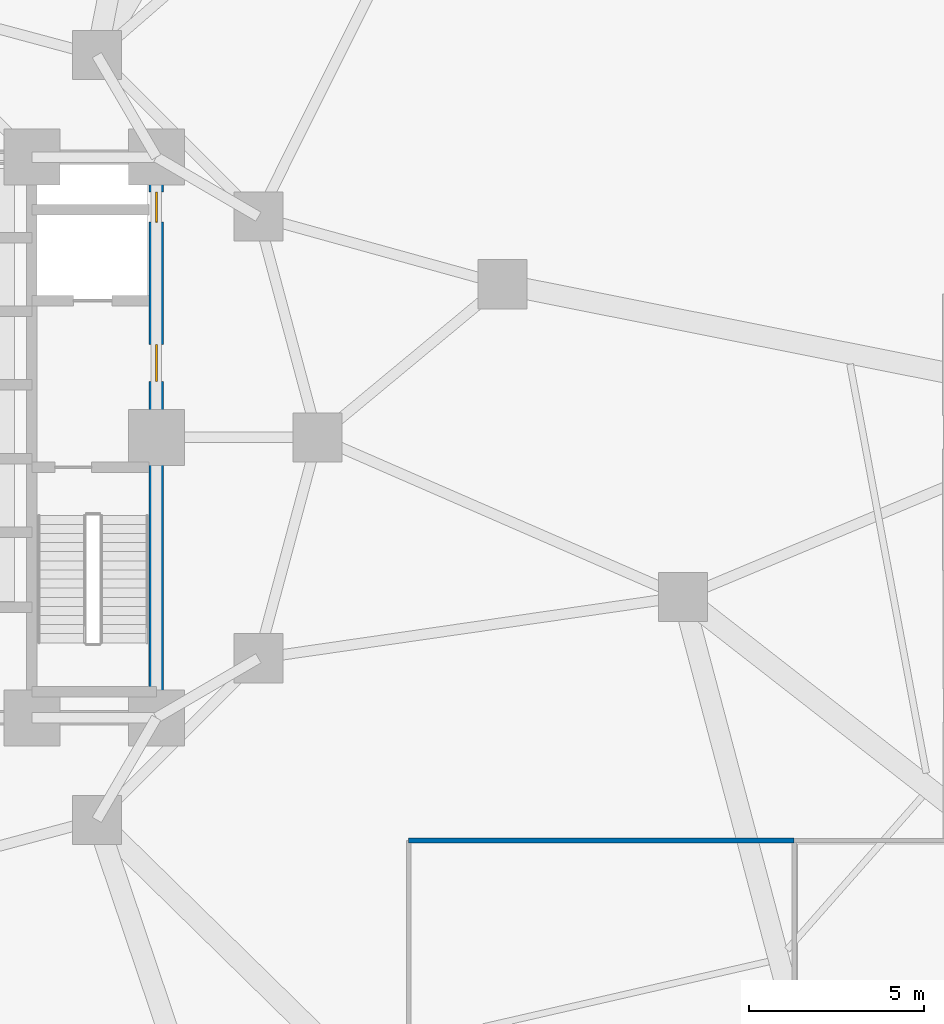
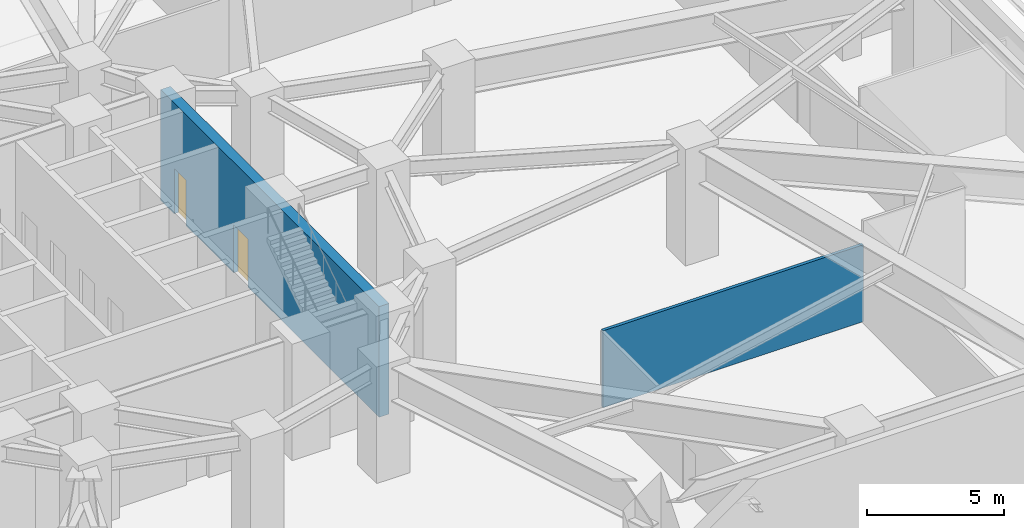
# One storey, part 18 of 30: 2 doors, 2 walls, 2 openings.
"""IFC4 building model written with IfcOpenShell, lengths in metres."""

from ifc_helpers import new_model, si_unit, direction, frame, frame_2d, origin, place, context, subcontext, project, spatial, rectangle, extrude, material, layer, layer_set, type_object, element, fill, save


model = new_model("IFC4")

# Units and contexts
model_context = context("Model", 3, precision=1e-05, world=origin(), true_north=direction((0.0, 1.0)))
body_context = subcontext(model_context, "Body", "Model", "MODEL_VIEW")
ifc_project = project(units=[si_unit("LENGTHUNIT", "METRE"), si_unit("AREAUNIT", "SQUARE_METRE"), si_unit("VOLUMEUNIT", "CUBIC_METRE"), si_unit("PLANEANGLEUNIT", "RADIAN"), si_unit("MASSUNIT", "GRAM", prefix="KILO")], contexts=[model_context])

# Site, building, storey
site_placement = place(None, origin())
site = spatial("IfcSite", under=ifc_project, at=site_placement, CompositionType="ELEMENT")
building_placement = place(site_placement, origin())
building = spatial("IfcBuilding", under=site, at=building_placement, Name="Terralouvre Media Tower", CompositionType="ELEMENT")
storey_placement = place(building_placement, origin())
storey = spatial("IfcBuildingStorey", under=building, at=storey_placement, Name="L00", CompositionType="ELEMENT", Elevation=0.0)

# Wall, openings, doors
ifc_material_1 = material(Name="Concrete C60/75", Category="concrete")
ifc_layer_1 = layer(ifc_material_1, 0.419921875, Name="Core Reinforced Concrete Shear Wall CW-420")
ifc_layer_set_1 = layer_set([ifc_layer_1], Name="Concrete C60/75")
wall_type_1 = type_object("IfcWallType", Name="Core Reinforced Concrete Shear Wall CW-420", PredefinedType="SHEAR", material=ifc_layer_set_1)
wall_1_placement = place(storey_placement, frame((8.0, -8.0, 0.0), z_axis=(0.0, 0.0, 1.0), x_axis=(0.0, 1.0, 0.0)))
wall_1 = element("IfcWall", 1, at=wall_1_placement, inside=storey, type_object=wall_type_1, Name="L00 E Core Shear Wall", PredefinedType="SHEAR", context=body_context, shape_type="SweptSolid", body=[
    extrude(rectangle(XDim=16.0, YDim=0.419921875, at=frame_2d((8.0, 0.0))), origin(), (0.0, 0.0, 1.0), 4.949951171875),
])
opening_1_placement = place(wall_1_placement, frame((9.60009765625, 0.0, 0.0)))
opening_1 = element("IfcOpeningElement", 2, at=opening_1_placement, cuts=wall_1, Name="Opening FD-01-105X215", PredefinedType="OPENING", context=body_context, shape_type="SweptSolid", body=[
    extrude(rectangle(XDim=1.050048828125, YDim=2.14990234375, at=frame_2d((0.52490234375, 1.074951171875))), frame((0.0, 0.219970703125, 0.0), z_axis=(0.0, -1.0, 0.0), x_axis=(1.0, 0.0, 0.0)), (0.0, 0.0, 1.0), 0.43994140625),
])
opening_2_placement = place(wall_1_placement, frame((14.148193359375, 0.0, 0.0)))
opening_2 = element("IfcOpeningElement", 3, at=opening_2_placement, cuts=wall_1, Name="Opening TD-R1", PredefinedType="OPENING", context=body_context, shape_type="SweptSolid", body=[
    extrude(rectangle(XDim=0.85009765625, YDim=2.02001953125, at=frame_2d((0.425048828125, 1.010009765625))), frame((0.0, 0.219970703125, 0.0), z_axis=(0.0, -1.0, 0.0), x_axis=(1.0, 0.0, 0.0)), (0.0, 0.0, 1.0), 0.43994140625),
])
ifc_material_2 = material(Name="Galvanised steel fire-resisting leaf", Category="steel")
door_type_1 = type_object("IfcDoorType", Name="Riser Inspection Access Trapdoor TD-R1", OperationType="NOTDEFINED", PredefinedType="TRAPDOOR", material=ifc_material_2)
door_1_placement = place(opening_2_placement, origin())
door_1 = element("IfcDoor", 4, at=door_1_placement, inside=storey, type_object=door_type_1, Name="L00 East Comms Riser Access Trapdoor", OperationType="SINGLE_SWING_RIGHT", OverallHeight=2.02001953125, OverallWidth=0.85009765625, PredefinedType="TRAPDOOR", context=body_context, shape_type="SweptSolid", body=[
    extrude(rectangle(XDim=0.85009765625, YDim=2.02001953125, at=frame_2d((0.425048828125, 1.010009765625))), frame((0.0, 0.02490234375, 0.0), z_axis=(0.0, -1.0, 0.0), x_axis=(1.0, 0.0, 0.0)), (0.0, 0.0, 1.0), 0.050048828125),
])
fill(opening_2, door_1)
ifc_material_3 = material(Name="Galvanised steel fire-resisting leaf", Category="steel")
door_type_2 = type_object("IfcDoorType", Name="Stair and Firefighting Lobby Fire Door FD-01 (1050x2150)", OperationType="NOTDEFINED", PredefinedType="DOOR", material=ifc_material_3)
door_2_placement = place(opening_1_placement, origin())
door_2 = element("IfcDoor", 5, at=door_2_placement, inside=storey, type_object=door_type_2, Name="L00 East Firefighting Lobby Entry Door", OperationType="SINGLE_SWING_LEFT", OverallHeight=2.14990234375, OverallWidth=1.050048828125, PredefinedType="DOOR", context=body_context, shape_type="SweptSolid", body=[
    extrude(rectangle(XDim=1.050048828125, YDim=2.14990234375, at=frame_2d((0.52490234375, 1.074951171875))), frame((0.0, 0.02490234375, 0.0), z_axis=(0.0, -1.0, 0.0), x_axis=(1.0, 0.0, 0.0)), (0.0, 0.0, 1.0), 0.050048828125),
])
fill(opening_1, door_2)

# Wall
ifc_material_4 = material(Name="Fire-rated gypsum board drywall partition")
ifc_layer_2 = layer(ifc_material_4, 0.135009765625, Name="Newsroom Acoustic Partition PT-135")
ifc_layer_set_2 = layer_set([ifc_layer_2], Name="Fire-rated gypsum board drywall partition")
wall_type_2 = type_object("IfcWallType", Name="Newsroom Acoustic Partition PT-135", PredefinedType="PARTITIONING", material=ifc_layer_set_2)
wall_2_placement = place(storey_placement, frame((15.199951171875, -11.5, 0.0), z_axis=(0.0, 0.0, 1.0), x_axis=(1.0, 0.0, 0.0)))
element("IfcWall", 6, at=wall_2_placement, inside=storey, type_object=wall_type_2, Name="L00 Interior Partition 005", PredefinedType="PARTITIONING", context=body_context, shape_type="SweptSolid", body=[
    extrude(rectangle(XDim=11.0, YDim=0.135009765625, at=frame_2d((5.5, 0.0))), origin(), (0.0, 0.0, 1.0), 3.43505859375),
])

save(model, "model.ifc")
